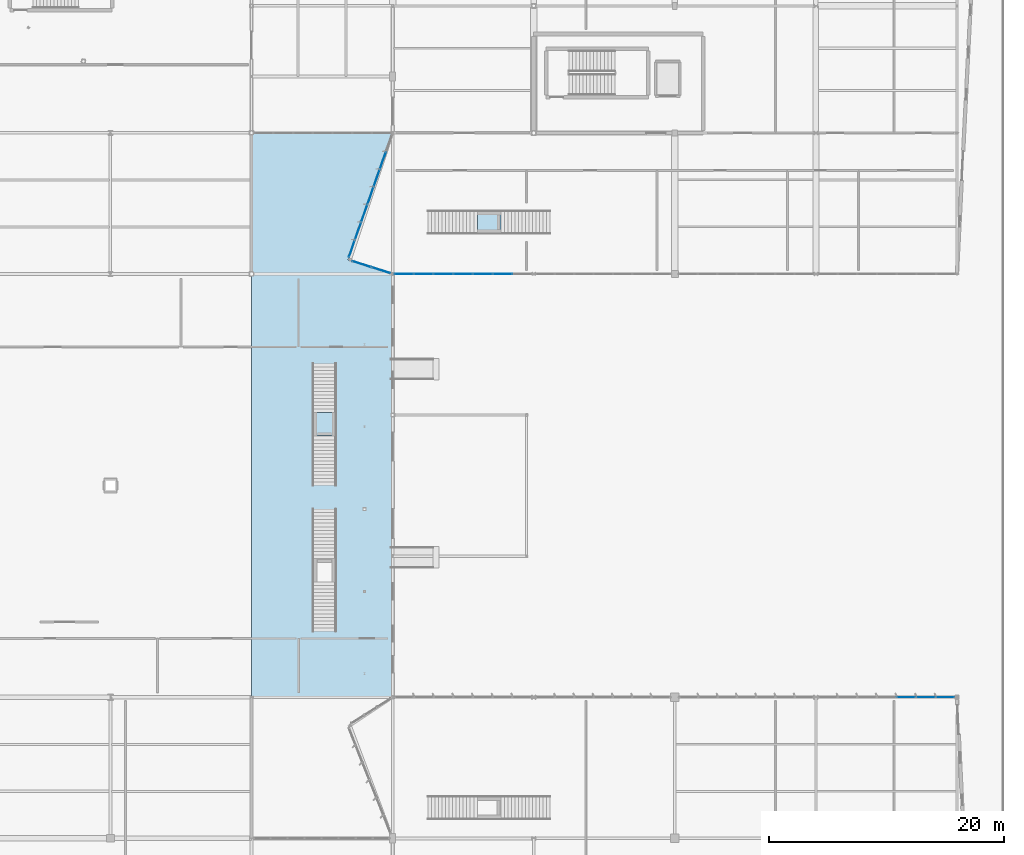
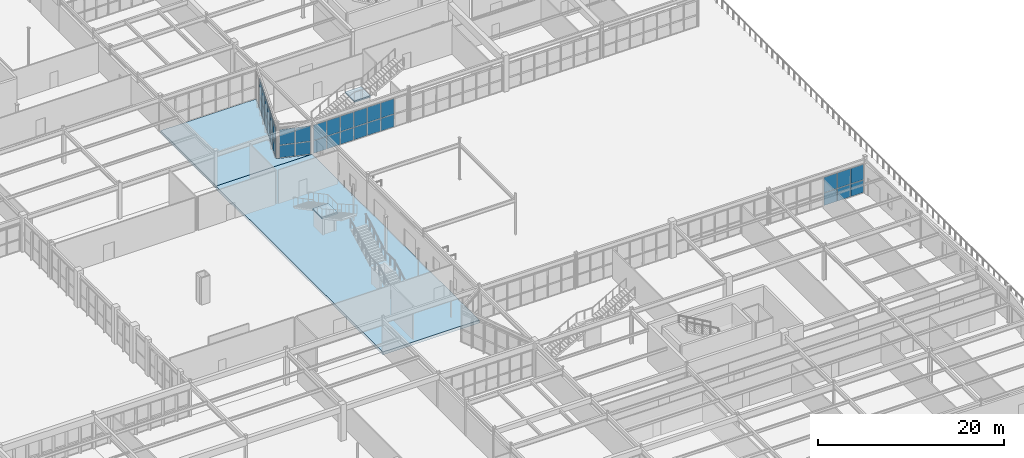
# One storey, part 124 of 199: 34 plates, 4 slabs, 6 elements without a shape of their own.
"""IFC4 building model written with IfcOpenShell, lengths in metres."""

from ifc_helpers import new_model, si_unit, direction, frame, origin, origin_2d, place, context, subcontext, project, spatial, polyline, rectangle, outline, extrude, material, layer, layer_set, type_object, element, aggregate, save


model = new_model("IFC4")

# Units and contexts
model_context = context("Model", 3, precision=1e-05, world=origin(), true_north=direction((0.0, 1.0)))
body_context = subcontext(model_context, "Body", "Model", "MODEL_VIEW")
ifc_project = project(units=[si_unit("LENGTHUNIT", "METRE"), si_unit("AREAUNIT", "SQUARE_METRE"), si_unit("VOLUMEUNIT", "CUBIC_METRE"), si_unit("PLANEANGLEUNIT", "RADIAN"), si_unit("MASSUNIT", "GRAM", prefix="KILO")], contexts=[model_context])

# Site, building, storey
site_placement = place(None, origin())
site = spatial("IfcSite", under=ifc_project, at=site_placement, CompositionType="ELEMENT")
building_placement = place(site_placement, origin())
building = spatial("IfcBuilding", under=site, at=building_placement, Name="Tarnwether General Hospital", CompositionType="ELEMENT")
storey_placement = place(building_placement, origin())
storey = spatial("IfcBuildingStorey", under=building, at=storey_placement, Name="L00", CompositionType="ELEMENT", Elevation=0.0)

# Curtain wall, plates
ifc_material_1 = material(Name="Anodised aluminium", Category="aluminium")
ifc_layer_1 = layer(ifc_material_1, 0.159912109375)
ifc_layer_set_1 = layer_set([ifc_layer_1], Name="Anodised aluminium")
curtain_wall_type = type_object("IfcCurtainWallType", Name="CW-20", PredefinedType="NOTDEFINED", material=ifc_layer_set_1)
curtain_wall_1_placement = place(storey_placement, origin())
curtain_wall_1 = element("IfcCurtainWall", 1, at=curtain_wall_1_placement, inside=storey, type_object=curtain_wall_type, Name="Curtain Wall CWG-L00-1802_456-0289", PredefinedType="NOTDEFINED")
ifc_material_2 = material(Name="Double glazed low-E glass", Category="glass")
ifc_layer_2 = layer(ifc_material_2, 0.028076171875)
ifc_layer_set_2 = layer_set([ifc_layer_2], Name="Double glazed low-E glass")
plate_type = type_object("IfcPlateType", Name="PT-CWP1", PredefinedType="CURTAIN_PANEL", material=ifc_layer_set_2)
plate_1_placement = place(storey_placement, frame((187.674072265625, 45.60009765625, 0.06005859375), z_axis=(0.0, 0.0, 1.0), x_axis=(1.0, 0.0, 0.0)))
plate_1 = element("IfcPlate", 2, at=plate_1_placement, type_object=plate_type, Name="CW-20 panel 5.1", PredefinedType="CURTAIN_PANEL", context=body_context, shape_type="SweptSolid", body=[
    extrude(rectangle(XDim=1.607177734375, YDim=0.028076171875, at=origin_2d()), origin(), (0.0, 0.0, 1.0), 1.632568359375),
])
plate_2_placement = place(storey_placement, frame((187.674072265625, 45.60009765625, 1.75244140625), z_axis=(0.0, 0.0, 1.0), x_axis=(1.0, 0.0, 0.0)))
plate_2 = element("IfcPlate", 3, at=plate_2_placement, type_object=plate_type, Name="CW-20 panel 5.2", PredefinedType="CURTAIN_PANEL", context=body_context, shape_type="SweptSolid", body=[
    extrude(rectangle(XDim=1.607177734375, YDim=0.028076171875, at=origin_2d()), origin(), (0.0, 0.0, 1.0), 2.015380859375),
])
plate_3_placement = place(storey_placement, frame((189.34130859375, 45.60009765625, 0.06005859375), z_axis=(0.0, 0.0, 1.0), x_axis=(1.0, 0.0, 0.0)))
plate_3 = element("IfcPlate", 4, at=plate_3_placement, type_object=plate_type, Name="CW-20 panel 6.1", PredefinedType="CURTAIN_PANEL", context=body_context, shape_type="SweptSolid", body=[
    extrude(rectangle(XDim=1.607177734375, YDim=0.028076171875, at=origin_2d()), origin(), (0.0, 0.0, 1.0), 1.632568359375),
])
plate_4_placement = place(storey_placement, frame((189.34130859375, 45.60009765625, 1.75244140625), z_axis=(0.0, 0.0, 1.0), x_axis=(1.0, 0.0, 0.0)))
plate_4 = element("IfcPlate", 5, at=plate_4_placement, type_object=plate_type, Name="CW-20 panel 6.2", PredefinedType="CURTAIN_PANEL", context=body_context, shape_type="SweptSolid", body=[
    extrude(rectangle(XDim=1.607177734375, YDim=0.028076171875, at=origin_2d()), origin(), (0.0, 0.0, 1.0), 2.015380859375),
])
plate_5_placement = place(storey_placement, frame((190.993408203125, 45.60009765625, 0.06005859375), z_axis=(0.0, 0.0, 1.0), x_axis=(1.0, 0.0, 0.0)))
plate_5 = element("IfcPlate", 6, at=plate_5_placement, type_object=plate_type, Name="CW-20 panel 7.1", PredefinedType="CURTAIN_PANEL", context=body_context, shape_type="SweptSolid", body=[
    extrude(rectangle(XDim=1.5771484375, YDim=0.028076171875, at=origin_2d()), origin(), (0.0, 0.0, 1.0), 1.632568359375),
])
plate_6_placement = place(storey_placement, frame((190.993408203125, 45.60009765625, 1.75244140625), z_axis=(0.0, 0.0, 1.0), x_axis=(1.0, 0.0, 0.0)))
plate_6 = element("IfcPlate", 7, at=plate_6_placement, type_object=plate_type, Name="CW-20 panel 7.2", PredefinedType="CURTAIN_PANEL", context=body_context, shape_type="SweptSolid", body=[
    extrude(rectangle(XDim=1.5771484375, YDim=0.028076171875, at=origin_2d()), origin(), (0.0, 0.0, 1.0), 2.015380859375),
])
aggregate(curtain_wall_1, [plate_1, plate_2, plate_3, plate_4, plate_5, plate_6])

curtain_wall_2_placement = place(storey_placement, origin())
curtain_wall_2 = element("IfcCurtainWall", 8, at=curtain_wall_2_placement, inside=storey, type_object=curtain_wall_type, Name="Curtain Wall CWG-L00-1559_816-0293", PredefinedType="NOTDEFINED")
plate_7_placement = place(storey_placement, frame((153.343505859375, 81.60009765625, 0.06005859375), z_axis=(0.0, 0.0, 1.0), x_axis=(-1.0, 0.0, 0.0)))
plate_7 = element("IfcPlate", 9, at=plate_7_placement, type_object=plate_type, Name="CW-20 panel 2.1", PredefinedType="CURTAIN_PANEL", context=body_context, shape_type="SweptSolid", body=[
    extrude(rectangle(XDim=1.618896484375, YDim=0.028076171875, at=origin_2d()), origin(), (0.0, 0.0, 1.0), 1.632568359375),
])
plate_8_placement = place(storey_placement, frame((153.343505859375, 81.60009765625, 1.75244140625), z_axis=(0.0, 0.0, 1.0), x_axis=(-1.0, 0.0, 0.0)))
plate_8 = element("IfcPlate", 10, at=plate_8_placement, type_object=plate_type, Name="CW-20 panel 2.2", PredefinedType="CURTAIN_PANEL", context=body_context, shape_type="SweptSolid", body=[
    extrude(rectangle(XDim=1.618896484375, YDim=0.028076171875, at=origin_2d()), origin(), (0.0, 0.0, 1.0), 2.015380859375),
])
plate_9_placement = place(storey_placement, frame((151.66455078125, 81.60009765625, 0.06005859375), z_axis=(0.0, 0.0, 1.0), x_axis=(-1.0, 0.0, 0.0)))
plate_9 = element("IfcPlate", 11, at=plate_9_placement, type_object=plate_type, Name="CW-20 panel 3.1", PredefinedType="CURTAIN_PANEL", context=body_context, shape_type="SweptSolid", body=[
    extrude(rectangle(XDim=1.618896484375, YDim=0.028076171875, at=origin_2d()), origin(), (0.0, 0.0, 1.0), 1.632568359375),
])
plate_10_placement = place(storey_placement, frame((151.66455078125, 81.60009765625, 1.75244140625), z_axis=(0.0, 0.0, 1.0), x_axis=(-1.0, 0.0, 0.0)))
plate_10 = element("IfcPlate", 12, at=plate_10_placement, type_object=plate_type, Name="CW-20 panel 3.2", PredefinedType="CURTAIN_PANEL", context=body_context, shape_type="SweptSolid", body=[
    extrude(rectangle(XDim=1.618896484375, YDim=0.028076171875, at=origin_2d()), origin(), (0.0, 0.0, 1.0), 2.015380859375),
])
plate_11_placement = place(storey_placement, frame((149.985595703125, 81.60009765625, 0.06005859375), z_axis=(0.0, 0.0, 1.0), x_axis=(-1.0, 0.0, 0.0)))
plate_11 = element("IfcPlate", 13, at=plate_11_placement, type_object=plate_type, Name="CW-20 panel 4.1", PredefinedType="CURTAIN_PANEL", context=body_context, shape_type="SweptSolid", body=[
    extrude(rectangle(XDim=1.618896484375, YDim=0.028076171875, at=origin_2d()), origin(), (0.0, 0.0, 1.0), 1.632568359375),
])
plate_12_placement = place(storey_placement, frame((149.985595703125, 81.60009765625, 1.75244140625), z_axis=(0.0, 0.0, 1.0), x_axis=(-1.0, 0.0, 0.0)))
plate_12 = element("IfcPlate", 14, at=plate_12_placement, type_object=plate_type, Name="CW-20 panel 4.2", PredefinedType="CURTAIN_PANEL", context=body_context, shape_type="SweptSolid", body=[
    extrude(rectangle(XDim=1.618896484375, YDim=0.028076171875, at=origin_2d()), origin(), (0.0, 0.0, 1.0), 2.015380859375),
])
plate_13_placement = place(storey_placement, frame((148.306396484375, 81.60009765625, 0.06005859375), z_axis=(0.0, 0.0, 1.0), x_axis=(-1.0, 0.0, 0.0)))
plate_13 = element("IfcPlate", 15, at=plate_13_placement, type_object=plate_type, Name="CW-20 panel 5.1", PredefinedType="CURTAIN_PANEL", context=body_context, shape_type="SweptSolid", body=[
    extrude(rectangle(XDim=1.618896484375, YDim=0.028076171875, at=origin_2d()), origin(), (0.0, 0.0, 1.0), 1.632568359375),
])
plate_14_placement = place(storey_placement, frame((148.306396484375, 81.60009765625, 1.75244140625), z_axis=(0.0, 0.0, 1.0), x_axis=(-1.0, 0.0, 0.0)))
plate_14 = element("IfcPlate", 16, at=plate_14_placement, type_object=plate_type, Name="CW-20 panel 5.2", PredefinedType="CURTAIN_PANEL", context=body_context, shape_type="SweptSolid", body=[
    extrude(rectangle(XDim=1.618896484375, YDim=0.028076171875, at=origin_2d()), origin(), (0.0, 0.0, 1.0), 2.015380859375),
])
plate_15_placement = place(storey_placement, frame((146.62744140625, 81.60009765625, 0.06005859375), z_axis=(0.0, 0.0, 1.0), x_axis=(-1.0, 0.0, 0.0)))
plate_15 = element("IfcPlate", 17, at=plate_15_placement, type_object=plate_type, Name="CW-20 panel 6.1", PredefinedType="CURTAIN_PANEL", context=body_context, shape_type="SweptSolid", body=[
    extrude(rectangle(XDim=1.618896484375, YDim=0.028076171875, at=origin_2d()), origin(), (0.0, 0.0, 1.0), 1.632568359375),
])
plate_16_placement = place(storey_placement, frame((146.62744140625, 81.60009765625, 1.75244140625), z_axis=(0.0, 0.0, 1.0), x_axis=(-1.0, 0.0, 0.0)))
plate_16 = element("IfcPlate", 18, at=plate_16_placement, type_object=plate_type, Name="CW-20 panel 6.2", PredefinedType="CURTAIN_PANEL", context=body_context, shape_type="SweptSolid", body=[
    extrude(rectangle(XDim=1.618896484375, YDim=0.028076171875, at=origin_2d()), origin(), (0.0, 0.0, 1.0), 2.015380859375),
])
plate_17_placement = place(storey_placement, frame((144.96337890625, 81.60009765625, 0.06005859375), z_axis=(0.0, 0.0, 1.0), x_axis=(-1.0, 0.0, 0.0)))
plate_17 = element("IfcPlate", 19, at=plate_17_placement, type_object=plate_type, Name="CW-20 panel 7.1", PredefinedType="CURTAIN_PANEL", context=body_context, shape_type="SweptSolid", body=[
    extrude(rectangle(XDim=1.589111328125, YDim=0.028076171875, at=origin_2d()), origin(), (0.0, 0.0, 1.0), 1.632568359375),
])
plate_18_placement = place(storey_placement, frame((144.96337890625, 81.60009765625, 1.75244140625), z_axis=(0.0, 0.0, 1.0), x_axis=(-1.0, 0.0, 0.0)))
plate_18 = element("IfcPlate", 20, at=plate_18_placement, type_object=plate_type, Name="CW-20 panel 7.2", PredefinedType="CURTAIN_PANEL", context=body_context, shape_type="SweptSolid", body=[
    extrude(rectangle(XDim=1.589111328125, YDim=0.028076171875, at=origin_2d()), origin(), (0.0, 0.0, 1.0), 2.015380859375),
])
aggregate(curtain_wall_2, [plate_7, plate_8, plate_9, plate_10, plate_11, plate_12, plate_13, plate_14, plate_15, plate_16, plate_17, plate_18])

curtain_wall_3_placement = place(storey_placement, origin())
curtain_wall_3 = element("IfcCurtainWall", 21, at=curtain_wall_3_placement, inside=storey, type_object=curtain_wall_type, Name="Curtain Wall CWG-L00-1439_816-0296", PredefinedType="NOTDEFINED")
plate_19_placement = place(storey_placement, frame((143.01513671875, 81.911376953125, 0.06005859375), z_axis=(0.0, 0.0, 1.0), x_axis=(-0.953578383468, 0.301144926209, 0.0)))
plate_19 = element("IfcPlate", 22, at=plate_19_placement, type_object=plate_type, Name="CW-20 panel 1.1", PredefinedType="CURTAIN_PANEL", context=body_context, shape_type="SweptSolid", body=[
    extrude(rectangle(XDim=1.675048828125, YDim=0.028076171875, at=origin_2d()), origin(), (0.0, 0.0, 1.0), 1.632568359375),
])
plate_20_placement = place(storey_placement, frame((143.01513671875, 81.911376953125, 1.75244140625), z_axis=(0.0, 0.0, 1.0), x_axis=(-0.953578383468, 0.301144926209, 0.0)))
plate_20 = element("IfcPlate", 23, at=plate_20_placement, type_object=plate_type, Name="CW-20 panel 1.2", PredefinedType="CURTAIN_PANEL", context=body_context, shape_type="SweptSolid", body=[
    extrude(rectangle(XDim=1.675048828125, YDim=0.028076171875, at=origin_2d()), origin(), (0.0, 0.0, 1.0), 2.015380859375),
])
plate_21_placement = place(storey_placement, frame((141.36083984375, 82.433837890625, 0.06005859375), z_axis=(0.0, 0.0, 1.0), x_axis=(-0.953578383468, 0.301144926209, 0.0)))
plate_21 = element("IfcPlate", 24, at=plate_21_placement, type_object=plate_type, Name="CW-20 panel 2.1", PredefinedType="CURTAIN_PANEL", context=body_context, shape_type="SweptSolid", body=[
    extrude(rectangle(XDim=1.675048828125, YDim=0.028076171875, at=origin_2d()), origin(), (0.0, 0.0, 1.0), 1.632568359375),
])
plate_22_placement = place(storey_placement, frame((141.36083984375, 82.433837890625, 1.75244140625), z_axis=(0.0, 0.0, 1.0), x_axis=(-0.953578383468, 0.301144926209, 0.0)))
plate_22 = element("IfcPlate", 25, at=plate_22_placement, type_object=plate_type, Name="CW-20 panel 2.2", PredefinedType="CURTAIN_PANEL", context=body_context, shape_type="SweptSolid", body=[
    extrude(rectangle(XDim=1.675048828125, YDim=0.028076171875, at=origin_2d()), origin(), (0.0, 0.0, 1.0), 2.015380859375),
])
aggregate(curtain_wall_3, [plate_19, plate_20, plate_21, plate_22])

curtain_wall_4_placement = place(storey_placement, origin())
curtain_wall_4 = element("IfcCurtainWall", 26, at=curtain_wall_4_placement, inside=storey, type_object=curtain_wall_type, Name="Curtain Wall CWG-L00-1403_830-0297", PredefinedType="NOTDEFINED")
plate_23_placement = place(storey_placement, frame((140.53515625, 83.751708984375, 0.06005859375), z_axis=(0.0, 0.0, 1.0), x_axis=(0.331937273151, 0.943301461195, 0.0)))
plate_23 = element("IfcPlate", 27, at=plate_23_placement, type_object=plate_type, Name="CW-20 panel 1.1", PredefinedType="CURTAIN_PANEL", context=body_context, shape_type="SweptSolid", body=[
    extrude(rectangle(XDim=1.50146484375, YDim=0.028076171875, at=origin_2d()), origin(), (0.0, 0.0, 1.0), 1.66357421875),
])
plate_24_placement = place(storey_placement, frame((140.53515625, 83.751708984375, 1.78369140625), z_axis=(0.0, 0.0, 1.0), x_axis=(0.331937273151, 0.943301461195, 0.0)))
plate_24 = element("IfcPlate", 28, at=plate_24_placement, type_object=plate_type, Name="CW-20 panel 1.2", PredefinedType="CURTAIN_PANEL", context=body_context, shape_type="SweptSolid", body=[
    extrude(rectangle(XDim=1.50146484375, YDim=0.028076171875, at=origin_2d()), origin(), (0.0, 0.0, 1.0), 2.053466796875),
])
plate_25_placement = place(storey_placement, frame((141.058349609375, 85.239013671875, 0.06005859375), z_axis=(0.0, 0.0, 1.0), x_axis=(0.331937273151, 0.943301461195, 0.0)))
plate_25 = element("IfcPlate", 29, at=plate_25_placement, type_object=plate_type, Name="CW-20 panel 2.1", PredefinedType="CURTAIN_PANEL", context=body_context, shape_type="SweptSolid", body=[
    extrude(rectangle(XDim=1.531494140625, YDim=0.028076171875, at=origin_2d()), origin(), (0.0, 0.0, 1.0), 1.66357421875),
])
plate_26_placement = place(storey_placement, frame((141.058349609375, 85.239013671875, 1.78369140625), z_axis=(0.0, 0.0, 1.0), x_axis=(0.331937273151, 0.943301461195, 0.0)))
plate_26 = element("IfcPlate", 30, at=plate_26_placement, type_object=plate_type, Name="CW-20 panel 2.2", PredefinedType="CURTAIN_PANEL", context=body_context, shape_type="SweptSolid", body=[
    extrude(rectangle(XDim=1.531494140625, YDim=0.028076171875, at=origin_2d()), origin(), (0.0, 0.0, 1.0), 2.053466796875),
])
plate_27_placement = place(storey_placement, frame((141.586669921875, 86.740234375, 0.06005859375), z_axis=(0.0, 0.0, 1.0), x_axis=(0.331937273151, 0.943301461195, 0.0)))
plate_27 = element("IfcPlate", 31, at=plate_27_placement, type_object=plate_type, Name="CW-20 panel 3.1", PredefinedType="CURTAIN_PANEL", context=body_context, shape_type="SweptSolid", body=[
    extrude(rectangle(XDim=1.531494140625, YDim=0.028076171875, at=origin_2d()), origin(), (0.0, 0.0, 1.0), 1.66357421875),
])
plate_28_placement = place(storey_placement, frame((141.586669921875, 86.740234375, 1.78369140625), z_axis=(0.0, 0.0, 1.0), x_axis=(0.331937273151, 0.943301461195, 0.0)))
plate_28 = element("IfcPlate", 32, at=plate_28_placement, type_object=plate_type, Name="CW-20 panel 3.2", PredefinedType="CURTAIN_PANEL", context=body_context, shape_type="SweptSolid", body=[
    extrude(rectangle(XDim=1.531494140625, YDim=0.028076171875, at=origin_2d()), origin(), (0.0, 0.0, 1.0), 2.053466796875),
])
plate_29_placement = place(storey_placement, frame((142.114990234375, 88.241455078125, 0.06005859375), z_axis=(0.0, 0.0, 1.0), x_axis=(0.331937273151, 0.943301461195, 0.0)))
plate_29 = element("IfcPlate", 33, at=plate_29_placement, type_object=plate_type, Name="CW-20 panel 4.1", PredefinedType="CURTAIN_PANEL", context=body_context, shape_type="SweptSolid", body=[
    extrude(rectangle(XDim=1.531494140625, YDim=0.028076171875, at=origin_2d()), origin(), (0.0, 0.0, 1.0), 1.66357421875),
])
plate_30_placement = place(storey_placement, frame((142.114990234375, 88.241455078125, 1.78369140625), z_axis=(0.0, 0.0, 1.0), x_axis=(0.331937273151, 0.943301461195, 0.0)))
plate_30 = element("IfcPlate", 34, at=plate_30_placement, type_object=plate_type, Name="CW-20 panel 4.2", PredefinedType="CURTAIN_PANEL", context=body_context, shape_type="SweptSolid", body=[
    extrude(rectangle(XDim=1.531494140625, YDim=0.028076171875, at=origin_2d()), origin(), (0.0, 0.0, 1.0), 2.053466796875),
])
plate_31_placement = place(storey_placement, frame((142.643310546875, 89.74267578125, 0.06005859375), z_axis=(0.0, 0.0, 1.0), x_axis=(0.331937273151, 0.943301461195, 0.0)))
plate_31 = element("IfcPlate", 35, at=plate_31_placement, type_object=plate_type, Name="CW-20 panel 5.1", PredefinedType="CURTAIN_PANEL", context=body_context, shape_type="SweptSolid", body=[
    extrude(rectangle(XDim=1.531494140625, YDim=0.028076171875, at=origin_2d()), origin(), (0.0, 0.0, 1.0), 1.66357421875),
])
plate_32_placement = place(storey_placement, frame((142.643310546875, 89.74267578125, 1.78369140625), z_axis=(0.0, 0.0, 1.0), x_axis=(0.331937273151, 0.943301461195, 0.0)))
plate_32 = element("IfcPlate", 36, at=plate_32_placement, type_object=plate_type, Name="CW-20 panel 5.2", PredefinedType="CURTAIN_PANEL", context=body_context, shape_type="SweptSolid", body=[
    extrude(rectangle(XDim=1.531494140625, YDim=0.028076171875, at=origin_2d()), origin(), (0.0, 0.0, 1.0), 2.053466796875),
])
plate_33_placement = place(storey_placement, frame((143.171630859375, 91.244140625, 0.06005859375), z_axis=(0.0, 0.0, 1.0), x_axis=(0.331937273151, 0.943301461195, 0.0)))
plate_33 = element("IfcPlate", 37, at=plate_33_placement, type_object=plate_type, Name="CW-20 panel 6.1", PredefinedType="CURTAIN_PANEL", context=body_context, shape_type="SweptSolid", body=[
    extrude(rectangle(XDim=1.531494140625, YDim=0.028076171875, at=origin_2d()), origin(), (0.0, 0.0, 1.0), 1.66357421875),
])
plate_34_placement = place(storey_placement, frame((143.171630859375, 91.244140625, 1.78369140625), z_axis=(0.0, 0.0, 1.0), x_axis=(0.331937273151, 0.943301461195, 0.0)))
plate_34 = element("IfcPlate", 38, at=plate_34_placement, type_object=plate_type, Name="CW-20 panel 6.2", PredefinedType="CURTAIN_PANEL", context=body_context, shape_type="SweptSolid", body=[
    extrude(rectangle(XDim=1.531494140625, YDim=0.028076171875, at=origin_2d()), origin(), (0.0, 0.0, 1.0), 2.053466796875),
])
aggregate(curtain_wall_4, [plate_23, plate_24, plate_25, plate_26, plate_27, plate_28, plate_29, plate_30, plate_31, plate_32, plate_33, plate_34])

# Slab
ifc_material_3 = material(Name="Concrete 40 MPa", Category="concrete")
ifc_layer_3 = layer(ifc_material_3, 0.3798828125)
ifc_layer_set_3 = layer_set([ifc_layer_3], Name="Concrete 40 MPa")
slab_type_1 = type_object("IfcSlabType", Name="SL-BS300", PredefinedType="BASESLAB", material=ifc_layer_set_3)
slab_1_placement = place(storey_placement, frame((0.0, 0.0, -0.3798828125)))
element("IfcSlab", 39, at=slab_1_placement, inside=storey, type_object=slab_type_1, Name="L00 Main Hall East Base Slab SL-L00-V1E", PredefinedType="BASESLAB", context=body_context, shape_type="SweptSolid", body=[
    extrude(outline(polyline([(144.0, 45.60009765625), (144.0, 81.60009765625), (132.0, 81.60009765625), (132.0, 45.60009765625), (144.0, 45.60009765625)])), origin(), (0.0, 0.0, 1.0), 0.3798828125),
])

# Stair, slab
ifc_material_4 = material(Name="Concrete 40 MPa", Category="concrete")
stair_type = type_object("IfcStairType", Name="ST-SR48", PredefinedType="STRAIGHT_RUN_STAIR", material=ifc_material_4)
stair_1_placement = place(storey_placement, origin())
stair_1 = element("IfcStair", 40, at=stair_1_placement, inside=storey, type_object=stair_type, Name="Feature Straight Stair ST-12", PredefinedType="STRAIGHT_RUN_STAIR")
ifc_material_5 = material(Name="Concrete 40 MPa", Category="concrete")
ifc_layer_4 = layer(ifc_material_5, 0.199951171875)
ifc_layer_set_4 = layer_set([ifc_layer_4], Name="Concrete 40 MPa")
slab_type_2 = type_object("IfcSlabType", Name="SL-LD200", PredefinedType="LANDING", material=ifc_layer_set_4)
slab_2_placement = place(storey_placement, frame((0.0, 0.0, 2.199951171875)))
slab_2 = element("IfcSlab", 41, at=slab_2_placement, type_object=slab_type_2, Name="ST-12 landing 1", PredefinedType="LANDING", context=body_context, shape_type="SweptSolid", body=[
    extrude(outline(polyline([(137.199951171875, 69.800048828125), (137.199951171875, 67.800048828125), (139.199951171875, 67.800048828125), (139.199951171875, 69.800048828125), (137.199951171875, 69.800048828125)])), origin(), (0.0, 0.0, 1.0), 0.199951171875),
])
aggregate(stair_1, [slab_2])

stair_2_placement = place(storey_placement, origin())
stair_2 = element("IfcStair", 42, at=stair_2_placement, inside=storey, type_object=stair_type, Name="Feature Straight Stair ST-14", PredefinedType="STRAIGHT_RUN_STAIR")
slab_3_placement = place(storey_placement, frame((0.0, 0.0, 2.199951171875)))
slab_3 = element("IfcSlab", 43, at=slab_3_placement, type_object=slab_type_2, Name="ST-14 landing 1", PredefinedType="LANDING", context=body_context, shape_type="SweptSolid", body=[
    extrude(outline(polyline([(151.199951171875, 85.0), (153.199951171875, 85.0), (153.199951171875, 87.0), (151.199951171875, 87.0), (151.199951171875, 85.0)])), origin(), (0.0, 0.0, 1.0), 0.199951171875),
])
aggregate(stair_2, [slab_3])

# Slab
ifc_material_6 = material(Name="Concrete 40 MPa", Category="concrete")
ifc_layer_5 = layer(ifc_material_6, 0.360107421875)
ifc_layer_set_5 = layer_set([ifc_layer_5], Name="Concrete 40 MPa")
slab_type_3 = type_object("IfcSlabType", Name="SL-TR240", PredefinedType="FLOOR", material=ifc_layer_set_5)
slab_4_placement = place(storey_placement, frame((0.0, 0.0, -0.360107421875)))
element("IfcSlab", 44, at=slab_4_placement, inside=storey, type_object=slab_type_3, Name="L00 Upper Scarp Arrival Plaza and Street Terrace SL-L00-PLAZA-P7", PredefinedType="FLOOR", context=body_context, shape_type="SweptSolid", body=[
    extrude(outline(polyline([(143.949951171875, 93.60009765625), (143.949951171875, 93.4580078125), (140.199951171875, 82.800048828125), (143.949951171875, 81.615966796875), (143.949951171875, 81.60009765625), (132.050048828125, 81.60009765625), (132.050048828125, 93.60009765625), (143.949951171875, 93.60009765625)])), origin(), (0.0, 0.0, 1.0), 0.360107421875),
])

save(model, "model.ifc")
